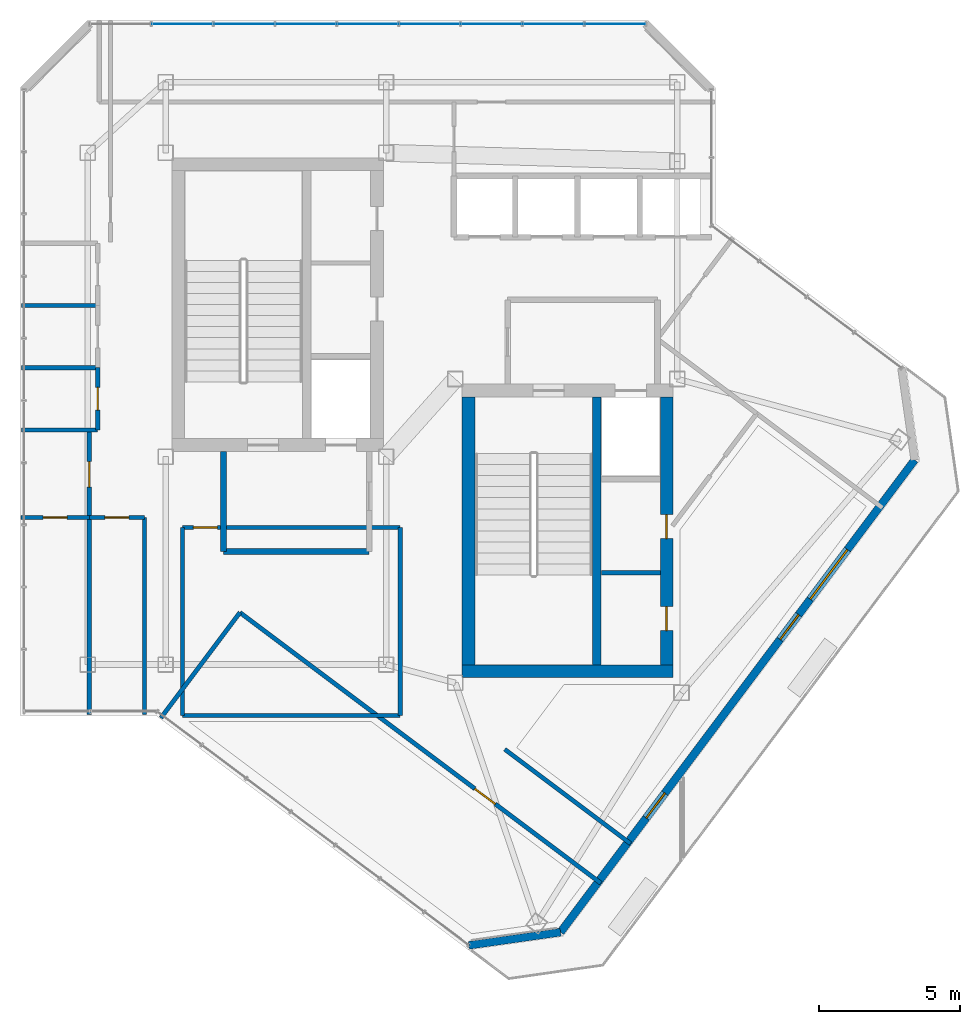
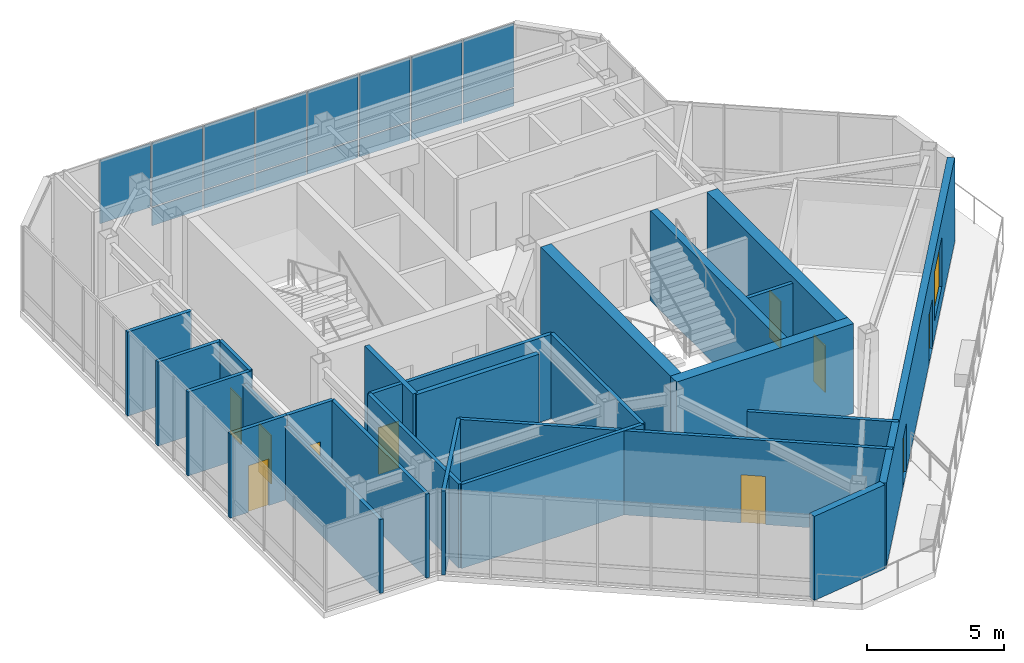
# One storey, part 18 of 23: 25 walls, 15 plates, 10 doors, 1 window, 11 openings, 1 element without a shape of its own.
"""IFC4 building model written with IfcOpenShell, lengths in metres."""

from ifc_helpers import new_model, si_unit, direction, frame, frame_2d, origin, origin_2d, place, context, subcontext, project, spatial, rectangle, extrude, material, layer, layer_set, type_object, element, fill, aggregate, save


model = new_model("IFC4")

# Units and contexts
model_context = context("Model", 3, precision=1e-05, world=origin(), true_north=direction((0.0, 1.0)))
body_context = subcontext(model_context, "Body", "Model", "MODEL_VIEW")
ifc_project = project(units=[si_unit("LENGTHUNIT", "METRE"), si_unit("AREAUNIT", "SQUARE_METRE"), si_unit("VOLUMEUNIT", "CUBIC_METRE"), si_unit("PLANEANGLEUNIT", "RADIAN"), si_unit("MASSUNIT", "GRAM", prefix="KILO")], contexts=[model_context])

# Site, building, storey
site_placement = place(None, origin())
site = spatial("IfcSite", under=ifc_project, at=site_placement, CompositionType="ELEMENT")
building_placement = place(site_placement, origin())
building = spatial("IfcBuilding", under=site, at=building_placement, Name="Hatsunagi Terrace Concourse", CompositionType="ELEMENT")
storey_placement = place(building_placement, frame((0.0, 0.0, 281.949951171875)))
storey = spatial("IfcBuildingStorey", under=building, at=storey_placement, Name="L74", CompositionType="ELEMENT", Elevation=281.949951171875)

# Curtain wall, plates
ifc_material_1 = material(Name="Anodised Aluminium Alloy 6063-T5", Category="aluminium")
ifc_layer_1 = layer(ifc_material_1, 0.199951171875)
ifc_layer_set_1 = layer_set([ifc_layer_1], Name="CrownWintergarden_CW06")
curtain_wall_type = type_object("IfcCurtainWallType", Name="CrownWintergarden_CW06", PredefinedType="NOTDEFINED", material=ifc_layer_set_1)
curtain_wall_placement = place(storey_placement, origin())
curtain_wall = element("IfcCurtainWall", 1, at=curtain_wall_placement, inside=storey, type_object=curtain_wall_type, Name="Unitised Curtain Wall CW-06 CW-L74-09", PredefinedType="NOTDEFINED")
ifc_material_2 = material(Name="Warm Terracotta Ceramic Spandrel Panel", Category="masonry")
ifc_layer_2 = layer(ifc_material_2, 0.031982421875)
ifc_layer_set_2 = layer_set([ifc_layer_2], Name="CurtainWallSpandrelPanel_32")
plate_type_1 = type_object("IfcPlateType", Name="CurtainWallSpandrelPanel_32", PredefinedType="SHEET", material=ifc_layer_set_2)
plate_1_placement = place(storey_placement, frame((28.325927734375, 47.860107421875, 0.030029296875), z_axis=(0.0, 0.0, 1.0), x_axis=(1.0, 0.0, 0.0)))
plate_1 = element("IfcPlate", 2, at=plate_1_placement, type_object=plate_type_1, Name="Terracotta Spandrel Panel SPN-01", PredefinedType="SHEET", context=body_context, shape_type="SweptSolid", body=[
    extrude(rectangle(XDim=2.132080078125, YDim=0.031982421875, at=origin_2d()), origin(), (0.0, 0.0, 1.0), 0.7900390625),
])
plate_2_placement = place(storey_placement, frame((30.512939453125, 47.860107421875, 0.030029296875), z_axis=(0.0, 0.0, 1.0), x_axis=(1.0, 0.0, 0.0)))
plate_2 = element("IfcPlate", 3, at=plate_2_placement, type_object=plate_type_1, Name="Terracotta Spandrel Panel SPN-01", PredefinedType="SHEET", context=body_context, shape_type="SweptSolid", body=[
    extrude(rectangle(XDim=2.132080078125, YDim=0.031982421875, at=origin_2d()), origin(), (0.0, 0.0, 1.0), 0.7900390625),
])
plate_3_placement = place(storey_placement, frame((32.699951171875, 47.860107421875, 0.030029296875), z_axis=(0.0, 0.0, 1.0), x_axis=(1.0, 0.0, 0.0)))
plate_3 = element("IfcPlate", 4, at=plate_3_placement, type_object=plate_type_1, Name="Terracotta Spandrel Panel SPN-01", PredefinedType="SHEET", context=body_context, shape_type="SweptSolid", body=[
    extrude(rectangle(XDim=2.132080078125, YDim=0.031982421875, at=origin_2d()), origin(), (0.0, 0.0, 1.0), 0.7900390625),
])
plate_4_placement = place(storey_placement, frame((34.886962890625, 47.860107421875, 0.030029296875), z_axis=(0.0, 0.0, 1.0), x_axis=(1.0, 0.0, 0.0)))
plate_4 = element("IfcPlate", 5, at=plate_4_placement, type_object=plate_type_1, Name="Terracotta Spandrel Panel SPN-01", PredefinedType="SHEET", context=body_context, shape_type="SweptSolid", body=[
    extrude(rectangle(XDim=2.132080078125, YDim=0.031982421875, at=origin_2d()), origin(), (0.0, 0.0, 1.0), 0.7900390625),
])
plate_5_placement = place(storey_placement, frame((37.073974609375, 47.860107421875, 0.030029296875), z_axis=(0.0, 0.0, 1.0), x_axis=(1.0, 0.0, 0.0)))
plate_5 = element("IfcPlate", 6, at=plate_5_placement, type_object=plate_type_1, Name="Terracotta Spandrel Panel SPN-01", PredefinedType="SHEET", context=body_context, shape_type="SweptSolid", body=[
    extrude(rectangle(XDim=2.132080078125, YDim=0.031982421875, at=origin_2d()), origin(), (0.0, 0.0, 1.0), 0.7900390625),
])
plate_6_placement = place(storey_placement, frame((39.260986328125, 47.860107421875, 0.030029296875), z_axis=(0.0, 0.0, 1.0), x_axis=(1.0, 0.0, 0.0)))
plate_6 = element("IfcPlate", 7, at=plate_6_placement, type_object=plate_type_1, Name="Terracotta Spandrel Panel SPN-01", PredefinedType="SHEET", context=body_context, shape_type="SweptSolid", body=[
    extrude(rectangle(XDim=2.132080078125, YDim=0.031982421875, at=origin_2d()), origin(), (0.0, 0.0, 1.0), 0.7900390625),
])
plate_7_placement = place(storey_placement, frame((41.447998046875, 47.860107421875, 0.030029296875), z_axis=(0.0, 0.0, 1.0), x_axis=(1.0, 0.0, 0.0)))
plate_7 = element("IfcPlate", 8, at=plate_7_placement, type_object=plate_type_1, Name="Terracotta Spandrel Panel SPN-01", PredefinedType="SHEET", context=body_context, shape_type="SweptSolid", body=[
    extrude(rectangle(XDim=2.132080078125, YDim=0.031982421875, at=origin_2d()), origin(), (0.0, 0.0, 1.0), 0.7900390625),
])
ifc_material_3 = material(Name="Low-E Double Insulating Glass 28mm", Category="glass")
ifc_layer_3 = layer(ifc_material_3, 0.028076171875)
ifc_layer_set_3 = layer_set([ifc_layer_3], Name="CurtainWallVisionGlass_28")
plate_type_2 = type_object("IfcPlateType", Name="CurtainWallVisionGlass_28", PredefinedType="CURTAIN_PANEL", material=ifc_layer_set_3)
plate_8_placement = place(storey_placement, frame((26.138916015625, 47.860107421875, 0.8798828125), z_axis=(0.0, 0.0, 1.0), x_axis=(1.0, 0.0, 0.0)))
plate_8 = element("IfcPlate", 9, at=plate_8_placement, type_object=plate_type_2, Name="Low-E Vision Glass Panel GLZ-01", PredefinedType="CURTAIN_PANEL", context=body_context, shape_type="SweptSolid", body=[
    extrude(rectangle(XDim=2.132080078125, YDim=0.028076171875, at=origin_2d()), origin(), (0.0, 0.0, 1.0), 2.840087890625),
])
plate_9_placement = place(storey_placement, frame((28.325927734375, 47.860107421875, 0.8798828125), z_axis=(0.0, 0.0, 1.0), x_axis=(1.0, 0.0, 0.0)))
plate_9 = element("IfcPlate", 10, at=plate_9_placement, type_object=plate_type_2, Name="Low-E Vision Glass Panel GLZ-01", PredefinedType="CURTAIN_PANEL", context=body_context, shape_type="SweptSolid", body=[
    extrude(rectangle(XDim=2.132080078125, YDim=0.028076171875, at=origin_2d()), origin(), (0.0, 0.0, 1.0), 2.840087890625),
])
plate_10_placement = place(storey_placement, frame((30.512939453125, 47.860107421875, 0.8798828125), z_axis=(0.0, 0.0, 1.0), x_axis=(1.0, 0.0, 0.0)))
plate_10 = element("IfcPlate", 11, at=plate_10_placement, type_object=plate_type_2, Name="Low-E Vision Glass Panel GLZ-01", PredefinedType="CURTAIN_PANEL", context=body_context, shape_type="SweptSolid", body=[
    extrude(rectangle(XDim=2.132080078125, YDim=0.028076171875, at=origin_2d()), origin(), (0.0, 0.0, 1.0), 2.840087890625),
])
plate_11_placement = place(storey_placement, frame((32.699951171875, 47.860107421875, 0.8798828125), z_axis=(0.0, 0.0, 1.0), x_axis=(1.0, 0.0, 0.0)))
plate_11 = element("IfcPlate", 12, at=plate_11_placement, type_object=plate_type_2, Name="Low-E Vision Glass Panel GLZ-01", PredefinedType="CURTAIN_PANEL", context=body_context, shape_type="SweptSolid", body=[
    extrude(rectangle(XDim=2.132080078125, YDim=0.028076171875, at=origin_2d()), origin(), (0.0, 0.0, 1.0), 2.840087890625),
])
plate_12_placement = place(storey_placement, frame((34.886962890625, 47.860107421875, 0.8798828125), z_axis=(0.0, 0.0, 1.0), x_axis=(1.0, 0.0, 0.0)))
plate_12 = element("IfcPlate", 13, at=plate_12_placement, type_object=plate_type_2, Name="Low-E Vision Glass Panel GLZ-01", PredefinedType="CURTAIN_PANEL", context=body_context, shape_type="SweptSolid", body=[
    extrude(rectangle(XDim=2.132080078125, YDim=0.028076171875, at=origin_2d()), origin(), (0.0, 0.0, 1.0), 2.840087890625),
])
plate_13_placement = place(storey_placement, frame((37.073974609375, 47.860107421875, 0.8798828125), z_axis=(0.0, 0.0, 1.0), x_axis=(1.0, 0.0, 0.0)))
plate_13 = element("IfcPlate", 14, at=plate_13_placement, type_object=plate_type_2, Name="Low-E Vision Glass Panel GLZ-01", PredefinedType="CURTAIN_PANEL", context=body_context, shape_type="SweptSolid", body=[
    extrude(rectangle(XDim=2.132080078125, YDim=0.028076171875, at=origin_2d()), origin(), (0.0, 0.0, 1.0), 2.840087890625),
])
plate_14_placement = place(storey_placement, frame((39.260986328125, 47.860107421875, 0.8798828125), z_axis=(0.0, 0.0, 1.0), x_axis=(1.0, 0.0, 0.0)))
plate_14 = element("IfcPlate", 15, at=plate_14_placement, type_object=plate_type_2, Name="Low-E Vision Glass Panel GLZ-01", PredefinedType="CURTAIN_PANEL", context=body_context, shape_type="SweptSolid", body=[
    extrude(rectangle(XDim=2.132080078125, YDim=0.028076171875, at=origin_2d()), origin(), (0.0, 0.0, 1.0), 2.840087890625),
])
plate_15_placement = place(storey_placement, frame((41.447998046875, 47.860107421875, 0.8798828125), z_axis=(0.0, 0.0, 1.0), x_axis=(1.0, 0.0, 0.0)))
plate_15 = element("IfcPlate", 16, at=plate_15_placement, type_object=plate_type_2, Name="Low-E Vision Glass Panel GLZ-01", PredefinedType="CURTAIN_PANEL", context=body_context, shape_type="SweptSolid", body=[
    extrude(rectangle(XDim=2.132080078125, YDim=0.028076171875, at=origin_2d()), origin(), (0.0, 0.0, 1.0), 2.840087890625),
])
aggregate(curtain_wall, [plate_8, plate_1, plate_9, plate_2, plate_10, plate_3, plate_11, plate_4, plate_12, plate_5, plate_13, plate_6, plate_14, plate_7, plate_15])

# Walls
ifc_material_4 = material(Name="Concrete Fc42", Category="concrete")
ifc_layer_4 = layer(ifc_material_4, 0.449951171875)
ifc_layer_set_4 = layer_set([ifc_layer_4], Name="CoreShearWall_Fc42_450")
wall_type_1 = type_object("IfcWallType", Name="CoreShearWall_Fc42_450", PredefinedType="SHEAR", material=ifc_layer_set_4)
wall_1_placement = place(storey_placement, frame((36.0400390625, 24.965087890625, 0.0), z_axis=(0.0, 0.0, 1.0), x_axis=(1.0, 0.0, 0.0)))
element("IfcWall", 17, at=wall_1_placement, inside=storey, type_object=wall_type_1, Name="Core B Shear Wall S L74", PredefinedType="SHEAR", context=body_context, shape_type="SweptSolid", body=[
    extrude(rectangle(XDim=7.4599609375, YDim=0.449951171875, at=frame_2d((3.72998046875, 0.0))), origin(), (0.0, 0.0, 1.0), 4.0),
])
wall_2_placement = place(storey_placement, frame((36.264892578125, 25.18994140625, 0.0), z_axis=(0.0, 0.0, 1.0), x_axis=(0.0, 1.0, 0.0)))
element("IfcWall", 18, at=wall_2_placement, inside=storey, type_object=wall_type_1, Name="Core B Shear Wall W L74", PredefinedType="SHEAR", context=body_context, shape_type="SweptSolid", body=[
    extrude(rectangle(XDim=9.47998046875, YDim=0.449951171875, at=frame_2d((4.739990234375, 0.0))), origin(), (0.0, 0.0, 1.0), 4.0),
])

# Wall, openings, doors
wall_3_placement = place(storey_placement, frame((43.27490234375, 25.18994140625, 0.0), z_axis=(0.0, 0.0, 1.0), x_axis=(0.0, 1.0, 0.0)))
wall_3 = element("IfcWall", 19, at=wall_3_placement, inside=storey, type_object=wall_type_1, Name="Core B Shear Wall E L74", PredefinedType="SHEAR", context=body_context, shape_type="SweptSolid", body=[
    extrude(rectangle(XDim=9.47998046875, YDim=0.449951171875, at=frame_2d((4.739990234375, 0.0))), origin(), (0.0, 0.0, 1.0), 4.0),
])
opening_1_placement = place(wall_3_placement, frame((1.2099609375, 0.0, 0.0)))
opening_1 = element("IfcOpeningElement", 20, at=opening_1_placement, cuts=wall_3, Name="Opening DR-085", PredefinedType="OPENING", context=body_context, shape_type="SweptSolid", body=[
    extrude(rectangle(XDim=0.85009765625, YDim=2.080078125, at=frame_2d((0.425048828125, 1.0400390625))), frame((0.0, 0.23486328125, 0.0), z_axis=(0.0, -1.0, 0.0), x_axis=(1.0, 0.0, 0.0)), (0.0, 0.0, 1.0), 0.469970703125),
])
opening_2_placement = place(wall_3_placement, frame((4.4599609375, 0.0, 0.0)))
opening_2 = element("IfcOpeningElement", 21, at=opening_2_placement, cuts=wall_3, Name="Opening DR-085", PredefinedType="OPENING", context=body_context, shape_type="SweptSolid", body=[
    extrude(rectangle(XDim=0.85009765625, YDim=2.080078125, at=frame_2d((0.425048828125, 1.0400390625))), frame((0.0, 0.23486328125, 0.0), z_axis=(0.0, -1.0, 0.0), x_axis=(1.0, 0.0, 0.0)), (0.0, 0.0, 1.0), 0.469970703125),
])
ifc_material_5 = material(Name="Painted steel", Category="steel")
door_type_1 = type_object("IfcDoorType", Name="RiserAccessDoor_EI60_850", OperationType="NOTDEFINED", PredefinedType="DOOR", material=ifc_material_5)
door_1_placement = place(opening_1_placement, origin())
door_1 = element("IfcDoor", 22, at=door_1_placement, inside=storey, type_object=door_type_1, Name="Core B Riser Door L74-1", OperationType="SINGLE_SWING_RIGHT", OverallHeight=2.080078125, OverallWidth=0.85009765625, PredefinedType="DOOR", context=body_context, shape_type="SweptSolid", body=[
    extrude(rectangle(XDim=0.85009765625, YDim=2.080078125, at=frame_2d((0.425048828125, 1.0400390625))), frame((0.0, 0.02490234375, 0.0), z_axis=(0.0, -1.0, 0.0), x_axis=(1.0, 0.0, 0.0)), (0.0, 0.0, 1.0), 0.050048828125),
])
fill(opening_1, door_1)
door_2_placement = place(opening_2_placement, origin())
door_2 = element("IfcDoor", 23, at=door_2_placement, inside=storey, type_object=door_type_1, Name="Core B Riser Door L74-2", OperationType="SINGLE_SWING_RIGHT", OverallHeight=2.080078125, OverallWidth=0.85009765625, PredefinedType="DOOR", context=body_context, shape_type="SweptSolid", body=[
    extrude(rectangle(XDim=0.85009765625, YDim=2.080078125, at=frame_2d((0.425048828125, 1.0400390625))), frame((0.0, 0.02490234375, 0.0), z_axis=(0.0, -1.0, 0.0), x_axis=(1.0, 0.0, 0.0)), (0.0, 0.0, 1.0), 0.050048828125),
])
fill(opening_2, door_2)

# Walls
ifc_material_6 = material(Name="Concrete Fc48", Category="concrete")
ifc_layer_5 = layer(ifc_material_6, 0.300048828125)
ifc_layer_set_5 = layer_set([ifc_layer_5], Name="CoreStairDivider_Fc48_300")
wall_type_2 = type_object("IfcWallType", Name="CoreStairDivider_Fc48_300", PredefinedType="SHEAR", material=ifc_layer_set_5)
wall_4_placement = place(storey_placement, frame((40.81005859375, 25.18994140625, 0.0), z_axis=(0.0, 0.0, 1.0), x_axis=(0.0, 1.0, 0.0)))
element("IfcWall", 24, at=wall_4_placement, inside=storey, type_object=wall_type_2, Name="Core B Shear Wall D L74", PredefinedType="SHEAR", context=body_context, shape_type="SweptSolid", body=[
    extrude(rectangle(XDim=9.47998046875, YDim=0.300048828125, at=frame_2d((4.739990234375, 0.0))), origin(), (0.0, 0.0, 1.0), 4.0),
])
ifc_material_7 = material(Name="Acoustic mineral board", Category="gypsum")
ifc_layer_6 = layer(ifc_material_7, 0.14990234375)
ifc_layer_set_6 = layer_set([ifc_layer_6], Name="PartitionWall_EI60_150")
wall_type_3 = type_object("IfcWallType", Name="PartitionWall_EI60_150", PredefinedType="PARTITIONING", material=ifc_layer_set_6)
wall_5_placement = place(storey_placement, frame((40.969970703125, 28.449951171875, 0.0), z_axis=(0.0, 0.0, 1.0), x_axis=(1.0, 0.0, 0.0)))
element("IfcWall", 25, at=wall_5_placement, inside=storey, type_object=wall_type_3, Name="Interior Partition IW-L74-004", PredefinedType="PARTITIONING", context=body_context, shape_type="SweptSolid", body=[
    extrude(rectangle(XDim=2.080078125, YDim=0.14990234375, at=frame_2d((1.0400390625, 0.0))), origin(), (0.0, 0.0, 1.0), 3.75),
])
for number, where, z_axis, x_axis, name in (
    (26, (20.449951171875, 33.5, 0.0), (0.0, 0.0, 1.0), (1.0, 0.0, 0.0), "Interior Partition IW-L74-017"),
    (27, (20.449951171875, 35.699951171875, 0.0), (0.0, 0.0, 1.0), (1.0, 0.0, 0.0), "Interior Partition IW-L74-019"),
    (28, (20.449951171875, 37.89990234375, 0.0), (0.0, 0.0, 1.0), (1.0, 0.0, 0.0), "Interior Partition IW-L74-020"),
):
    element("IfcWall", number, at=place(storey_placement, frame(where, z_axis=z_axis, x_axis=x_axis)), inside=storey, type_object=wall_type_3, Name=name, PredefinedType="PARTITIONING", context=body_context, shape_type="SweptSolid", body=[
        extrude(rectangle(XDim=2.699951171875, YDim=0.14990234375, at=frame_2d((1.35009765625, 0.0))), origin(), (0.0, 0.0, 1.0), 3.75),
    ])

# Wall, opening, door
wall_6_placement = place(storey_placement, frame((23.14990234375, 33.5, 0.0), z_axis=(0.0, 0.0, 1.0), x_axis=(0.0, 1.0, 0.0)))
wall_6 = element("IfcWall", 29, at=wall_6_placement, inside=storey, type_object=wall_type_3, Name="Interior Partition IW-L74-021", PredefinedType="PARTITIONING", context=body_context, shape_type="SweptSolid", body=[
    extrude(rectangle(XDim=2.199951171875, YDim=0.14990234375, at=frame_2d((1.10009765625, 0.0))), origin(), (0.0, 0.0, 1.0), 3.75),
])
opening_3_placement = place(wall_6_placement, frame((0.699951171875, 0.0, 0.0)))
opening_3 = element("IfcOpeningElement", 30, at=opening_3_placement, cuts=wall_6, Name="Opening DR-080", PredefinedType="OPENING", context=body_context, shape_type="SweptSolid", body=[
    extrude(rectangle(XDim=0.800048828125, YDim=2.06005859375, at=frame_2d((0.39990234375, 1.030029296875))), frame((0.0, 0.0849609375, 0.0), z_axis=(0.0, -1.0, 0.0), x_axis=(1.0, 0.0, 0.0)), (0.0, 0.0, 1.0), 0.169921875),
])
ifc_material_8 = material(Name="Hardwood timber", Category="wood")
door_type_2 = type_object("IfcDoorType", Name="BathroomDoor_800", OperationType="NOTDEFINED", PredefinedType="DOOR", material=ifc_material_8)
door_3_placement = place(opening_3_placement, origin())
door_3 = element("IfcDoor", 31, at=door_3_placement, inside=storey, type_object=door_type_2, Name="Accessible WC Door L74", OperationType="SINGLE_SWING_LEFT", OverallHeight=2.06005859375, OverallWidth=0.800048828125, PredefinedType="DOOR", context=body_context, shape_type="SweptSolid", body=[
    extrude(rectangle(XDim=0.800048828125, YDim=2.06005859375, at=frame_2d((0.39990234375, 1.030029296875))), frame((0.0, 0.02490234375, 0.0), z_axis=(0.0, -1.0, 0.0), x_axis=(1.0, 0.0, 0.0)), (0.0, 0.0, 1.0), 0.050048828125),
])
fill(opening_3, door_3)

# Wall
wall_7_placement = place(storey_placement, frame((26.14990234375, 23.39990234375, 0.0), z_axis=(0.0, 0.0, 1.0), x_axis=(1.0, 0.0, 0.0)))
element("IfcWall", 32, at=wall_7_placement, inside=storey, type_object=wall_type_3, Name="Interior Partition IW-L74-024", PredefinedType="PARTITIONING", context=body_context, shape_type="SweptSolid", body=[
    extrude(rectangle(XDim=7.7001953125, YDim=0.14990234375, at=frame_2d((3.85009765625, 0.0))), origin(), (0.0, 0.0, 1.0), 3.75),
])

# Wall, opening, door
wall_8_placement = place(storey_placement, frame((26.14990234375, 30.050048828125, 0.0), z_axis=(0.0, 0.0, 1.0), x_axis=(1.0, 0.0, 0.0)))
wall_8 = element("IfcWall", 33, at=wall_8_placement, inside=storey, type_object=wall_type_3, Name="Interior Partition IW-L74-025", PredefinedType="PARTITIONING", context=body_context, shape_type="SweptSolid", body=[
    extrude(rectangle(XDim=7.7001953125, YDim=0.14990234375, at=frame_2d((3.85009765625, 0.0))), origin(), (0.0, 0.0, 1.0), 3.75),
])
opening_4_placement = place(wall_8_placement, frame((0.3798828125, 0.0, 0.0)))
opening_4 = element("IfcOpeningElement", 34, at=opening_4_placement, cuts=wall_8, Name="Opening DR-085", PredefinedType="OPENING", context=body_context, shape_type="SweptSolid", body=[
    extrude(rectangle(XDim=0.85009765625, YDim=2.080078125, at=frame_2d((0.425048828125, 1.0400390625))), frame((0.0, 0.0849609375, 0.0), z_axis=(0.0, -1.0, 0.0), x_axis=(1.0, 0.0, 0.0)), (0.0, 0.0, 1.0), 0.169921875),
])
door_4_placement = place(opening_4_placement, origin())
door_4 = element("IfcDoor", 35, at=door_4_placement, inside=storey, type_object=door_type_1, Name="Boardroom L74-RECL1 Door", OperationType="SINGLE_SWING_RIGHT", OverallHeight=2.080078125, OverallWidth=0.85009765625, PredefinedType="DOOR", context=body_context, shape_type="SweptSolid", body=[
    extrude(rectangle(XDim=0.85009765625, YDim=2.080078125, at=frame_2d((0.425048828125, 1.0400390625))), frame((0.0, 0.02490234375, 0.0), z_axis=(0.0, -1.0, 0.0), x_axis=(1.0, 0.0, 0.0)), (0.0, 0.0, 1.0), 0.050048828125),
])
fill(opening_4, door_4)

# Walls
for number, where, z_axis, x_axis, name in (
    (36, (26.14990234375, 23.39990234375, 0.0), (0.0, 0.0, 1.0), (0.0, 1.0, 0.0), "Interior Partition IW-L74-026"),
    (37, (33.85009765625, 23.39990234375, 0.0), (0.0, 0.0, 1.0), (0.0, 1.0, 0.0), "Interior Partition IW-L74-027"),
):
    element("IfcWall", number, at=place(storey_placement, frame(where, z_axis=z_axis, x_axis=x_axis)), inside=storey, type_object=wall_type_3, Name=name, PredefinedType="PARTITIONING", context=body_context, shape_type="SweptSolid", body=[
        extrude(rectangle(XDim=6.650146484375, YDim=0.14990234375, at=frame_2d((3.3251953125, 0.0))), origin(), (0.0, 0.0, 1.0), 3.75),
    ])

# Wall, opening, door
wall_9_placement = place(storey_placement, frame((20.43994140625, 30.39990234375, 0.0), z_axis=(0.0, 0.0, 1.0), x_axis=(1.0, 0.0, 0.0)))
wall_9 = element("IfcWall", 38, at=wall_9_placement, inside=storey, type_object=wall_type_3, Name="Interior Partition IW-L74-031", PredefinedType="PARTITIONING", context=body_context, shape_type="SweptSolid", body=[
    extrude(rectangle(XDim=2.41015625, YDim=0.14990234375, at=frame_2d((1.205078125, 0.0))), origin(), (0.0, 0.0, 1.0), 3.75),
])
opening_5_placement = place(wall_9_placement, frame((0.780029296875, 0.0, 0.0)))
opening_5 = element("IfcOpeningElement", 39, at=opening_5_placement, cuts=wall_9, Name="Opening DR-085", PredefinedType="OPENING", context=body_context, shape_type="SweptSolid", body=[
    extrude(rectangle(XDim=0.85009765625, YDim=2.080078125, at=frame_2d((0.425048828125, 1.0400390625))), frame((0.0, 0.0849609375, 0.0), z_axis=(0.0, -1.0, 0.0), x_axis=(1.0, 0.0, 0.0)), (0.0, 0.0, 1.0), 0.169921875),
])
door_5_placement = place(opening_5_placement, origin())
door_5 = element("IfcDoor", 40, at=door_5_placement, inside=storey, type_object=door_type_1, Name="Private Salon L74-CRSK1 Door", OperationType="SINGLE_SWING_RIGHT", OverallHeight=2.080078125, OverallWidth=0.85009765625, PredefinedType="DOOR", context=body_context, shape_type="SweptSolid", body=[
    extrude(rectangle(XDim=0.85009765625, YDim=2.080078125, at=frame_2d((0.425048828125, 1.0400390625))), frame((0.0, 0.02490234375, 0.0), z_axis=(0.0, -1.0, 0.0), x_axis=(1.0, 0.0, 0.0)), (0.0, 0.0, 1.0), 0.050048828125),
])
fill(opening_5, door_5)

# Wall
wall_10_placement = place(storey_placement, frame((22.85009765625, 23.43994140625, 0.0), z_axis=(0.0, 0.0, 1.0), x_axis=(0.0, 1.0, 0.0)))
element("IfcWall", 41, at=wall_10_placement, inside=storey, type_object=wall_type_3, Name="Interior Partition IW-L74-032", PredefinedType="PARTITIONING", context=body_context, shape_type="SweptSolid", body=[
    extrude(rectangle(XDim=6.9599609375, YDim=0.14990234375, at=frame_2d((3.47998046875, 0.0))), origin(), (0.0, 0.0, 1.0), 3.295166015625),
])

# Wall, opening, door
wall_11_placement = place(storey_placement, frame((22.85009765625, 30.39990234375, 0.0), z_axis=(0.0, 0.0, 1.0), x_axis=(1.0, 0.0, 0.0)))
wall_11 = element("IfcWall", 42, at=wall_11_placement, inside=storey, type_object=wall_type_3, Name="Interior Partition IW-L74-033", PredefinedType="PARTITIONING", context=body_context, shape_type="SweptSolid", body=[
    extrude(rectangle(XDim=1.949951171875, YDim=0.14990234375, at=frame_2d((0.97509765625, 0.0))), origin(), (0.0, 0.0, 1.0), 3.75),
])
opening_6_placement = place(wall_11_placement, frame((0.550048828125, 0.0, 0.0)))
opening_6 = element("IfcOpeningElement", 43, at=opening_6_placement, cuts=wall_11, Name="Opening DR-085", PredefinedType="OPENING", context=body_context, shape_type="SweptSolid", body=[
    extrude(rectangle(XDim=0.85009765625, YDim=2.080078125, at=frame_2d((0.425048828125, 1.0400390625))), frame((0.0, 0.0849609375, 0.0), z_axis=(0.0, -1.0, 0.0), x_axis=(1.0, 0.0, 0.0)), (0.0, 0.0, 1.0), 0.169921875),
])
door_6_placement = place(opening_6_placement, origin())
door_6 = element("IfcDoor", 44, at=door_6_placement, inside=storey, type_object=door_type_1, Name="Client Consultation Room L74-CRSK2 Door", OperationType="SINGLE_SWING_RIGHT", OverallHeight=2.080078125, OverallWidth=0.85009765625, PredefinedType="DOOR", context=body_context, shape_type="SweptSolid", body=[
    extrude(rectangle(XDim=0.85009765625, YDim=2.080078125, at=frame_2d((0.425048828125, 1.0400390625))), frame((0.0, 0.02490234375, 0.0), z_axis=(0.0, -1.0, 0.0), x_axis=(1.0, 0.0, 0.0)), (0.0, 0.0, 1.0), 0.050048828125),
])
fill(opening_6, door_6)

# Wall
wall_12_placement = place(storey_placement, frame((24.800048828125, 23.43994140625, 0.0), z_axis=(0.0, 0.0, 1.0), x_axis=(0.0, 1.0, 0.0)))
element("IfcWall", 45, at=wall_12_placement, inside=storey, type_object=wall_type_3, Name="Interior Partition IW-L74-034", PredefinedType="PARTITIONING", context=body_context, shape_type="SweptSolid", body=[
    extrude(rectangle(XDim=6.9599609375, YDim=0.14990234375, at=frame_2d((3.47998046875, 0.0))), origin(), (0.0, 0.0, 1.0), 3.75),
])

# Wall, opening, door
wall_13_placement = place(storey_placement, frame((22.85009765625, 30.39990234375, 0.0), z_axis=(0.0, 0.0, 1.0), x_axis=(0.0, 1.0, 0.0)))
wall_13 = element("IfcWall", 46, at=wall_13_placement, inside=storey, type_object=wall_type_3, Name="Interior Partition IW-L74-035", PredefinedType="PARTITIONING", context=body_context, shape_type="SweptSolid", body=[
    extrude(rectangle(XDim=3.050048828125, YDim=0.14990234375, at=frame_2d((1.52490234375, 0.0))), origin(), (0.0, 0.0, 1.0), 3.295166015625),
])
opening_7_placement = place(wall_13_placement, frame((1.074951171875, 0.0, 0.0)))
opening_7 = element("IfcOpeningElement", 47, at=opening_7_placement, cuts=wall_13, Name="Opening DR-090", PredefinedType="OPENING", context=body_context, shape_type="SweptSolid", body=[
    extrude(rectangle(XDim=0.89990234375, YDim=2.14990234375, at=frame_2d((0.449951171875, 1.074951171875))), frame((0.0, 0.0849609375, 0.0), z_axis=(0.0, -1.0, 0.0), x_axis=(1.0, 0.0, 0.0)), (0.0, 0.0, 1.0), 0.169921875),
])
ifc_material_9 = material(Name="Hardwood timber", Category="wood")
door_type_3 = type_object("IfcDoorType", Name="CrownPavilionDoor_EI30_900", OperationType="NOTDEFINED", PredefinedType="DOOR", material=ifc_material_9)
door_7_placement = place(opening_7_placement, origin())
door_7 = element("IfcDoor", 48, at=door_7_placement, inside=storey, type_object=door_type_3, Name="Focus Room L74-CRSW Door", OperationType="SINGLE_SWING_LEFT", OverallHeight=2.14990234375, OverallWidth=0.89990234375, PredefinedType="DOOR", context=body_context, shape_type="SweptSolid", body=[
    extrude(rectangle(XDim=0.89990234375, YDim=2.14990234375, at=frame_2d((0.449951171875, 1.074951171875))), frame((0.0, 0.02490234375, 0.0), z_axis=(0.0, -1.0, 0.0), x_axis=(1.0, 0.0, 0.0)), (0.0, 0.0, 1.0), 0.050048828125),
])
fill(opening_7, door_7)

wall_14_placement = place(storey_placement, frame((28.179931640625, 27.0400390625, 0.0), z_axis=(0.0, 0.0, 1.0), x_axis=(0.80000367127, -0.599995104942, 0.0)))
wall_14 = element("IfcWall", 49, at=wall_14_placement, inside=storey, type_object=wall_type_3, Name="Interior Partition IW-L74-037", PredefinedType="PARTITIONING", context=body_context, shape_type="SweptSolid", body=[
    extrude(rectangle(XDim=15.9599609375, YDim=0.14990234375, at=frame_2d((7.97998046875, 0.0))), origin(), (0.0, 0.0, 1.0), 3.75),
])
opening_8_placement = place(wall_14_placement, frame((10.389892578125, 0.0, 0.0)))
opening_8 = element("IfcOpeningElement", 50, at=opening_8_placement, cuts=wall_14, Name="Opening DR-090", PredefinedType="OPENING", context=body_context, shape_type="SweptSolid", body=[
    extrude(rectangle(XDim=0.89990234375, YDim=2.14990234375, at=frame_2d((0.449951171875, 1.074951171875))), frame((0.0, 0.0849609375, 0.0), z_axis=(0.0, -1.0, 0.0), x_axis=(1.0, 0.0, 0.0)), (0.0, 0.0, 1.0), 0.169921875),
])
door_8_placement = place(opening_8_placement, origin())
door_8 = element("IfcDoor", 51, at=door_8_placement, inside=storey, type_object=door_type_3, Name="Private Dining Suite L74-CRSWS Door", OperationType="SINGLE_SWING_RIGHT", OverallHeight=2.14990234375, OverallWidth=0.89990234375, PredefinedType="DOOR", context=body_context, shape_type="SweptSolid", body=[
    extrude(rectangle(XDim=0.89990234375, YDim=2.14990234375, at=frame_2d((0.449951171875, 1.074951171875))), frame((0.0, 0.02490234375, 0.0), z_axis=(0.0, -1.0, 0.0), x_axis=(1.0, 0.0, 0.0)), (0.0, 0.0, 1.0), 0.050048828125),
])
fill(opening_8, door_8)

# Walls
wall_15_placement = place(storey_placement, frame((25.384033203125, 23.31201171875, 0.0), z_axis=(0.0, 0.0, 1.0), x_axis=(0.599983234706, 0.800012573696, 0.0)))
element("IfcWall", 52, at=wall_15_placement, inside=storey, type_object=wall_type_3, Name="Interior Partition IW-L74-038", PredefinedType="PARTITIONING", context=body_context, shape_type="SweptSolid", body=[
    extrude(rectangle(XDim=4.659912109375, YDim=0.14990234375, at=frame_2d((2.330078125, 0.0))), origin(), (0.0, 0.0, 1.0), 3.75),
])
wall_16_placement = place(storey_placement, frame((37.550048828125, 22.199951171875, 0.0), z_axis=(0.0, 0.0, 1.0), x_axis=(0.800005269228, -0.599992974298, 0.0)))
element("IfcWall", 53, at=wall_16_placement, inside=storey, type_object=wall_type_3, Name="Interior Partition IW-L74-039", PredefinedType="PARTITIONING", context=body_context, shape_type="SweptSolid", body=[
    extrude(rectangle(XDim=5.56005859375, YDim=0.14990234375, at=frame_2d((2.780029296875, 0.0))), origin(), (0.0, 0.0, 1.0), 3.75),
])
ifc_material_10 = material(Name="Acoustic mineral board", Category="gypsum")
ifc_layer_7 = layer(ifc_material_10, 0.199951171875)
ifc_layer_set_7 = layer_set([ifc_layer_7], Name="ShaftWall_EI120_200")
wall_type_4 = type_object("IfcWallType", Name="ShaftWall_EI120_200", PredefinedType="STANDARD", material=ifc_layer_set_7)
wall_17_placement = place(storey_placement, frame((27.60009765625, 29.199951171875, 0.0), z_axis=(0.0, 0.0, 1.0), x_axis=(1.0, 0.0, 0.0)))
element("IfcWall", 54, at=wall_17_placement, inside=storey, type_object=wall_type_4, Name="Interior Partition IW-L74-005", PredefinedType="STANDARD", context=body_context, shape_type="SweptSolid", body=[
    extrude(rectangle(XDim=5.14990234375, YDim=0.199951171875, at=frame_2d((2.574951171875, 0.0))), origin(), (0.0, 0.0, 1.0), 3.75),
])
wall_18_placement = place(storey_placement, frame((27.60009765625, 29.199951171875, 0.0), z_axis=(0.0, 0.0, 1.0), x_axis=(0.0, 1.0, 0.0)))
element("IfcWall", 55, at=wall_18_placement, inside=storey, type_object=wall_type_4, Name="Interior Partition IW-L74-006", PredefinedType="STANDARD", context=body_context, shape_type="SweptSolid", body=[
    extrude(rectangle(XDim=3.5400390625, YDim=0.199951171875, at=frame_2d((1.77001953125, 0.0))), origin(), (0.0, 0.0, 1.0), 3.75),
])

# Wall, openings, doors, window
ifc_material_11 = material(Name="Autoclaved Lightweight Concrete and Terracotta Cladding", Category="masonry")
ifc_layer_8 = layer(ifc_material_11, 0.280029296875)
ifc_layer_set_8 = layer_set([ifc_layer_8], Name="TerracottaSpandrelWall_280")
wall_type_5 = type_object("IfcWallType", Name="TerracottaSpandrelWall_280", PredefinedType="STANDARD", material=ifc_layer_set_8)
wall_19_placement = place(storey_placement, frame((52.052978515625, 32.43798828125, 0.0), z_axis=(0.0, 0.0, 1.0), x_axis=(-0.599970072971, -0.800022444397, 0.0)))
wall_19 = element("IfcWall", 56, at=wall_19_placement, inside=storey, type_object=wall_type_5, Name="Exterior Spandrel Wall EW-L74-03", PredefinedType="STANDARD", context=body_context, shape_type="SweptSolid", body=[
    extrude(rectangle(XDim=20.884521484375, YDim=0.280029296875, at=frame_2d((10.4423828125, 0.0))), origin(), (0.0, 0.0, 1.0), 3.75),
])
opening_9_placement = place(wall_19_placement, frame((14.73388671875, 0.0, 0.0)))
opening_9 = element("IfcOpeningElement", 57, at=opening_9_placement, cuts=wall_19, Name="Opening BD-01", PredefinedType="OPENING", context=body_context, shape_type="SweptSolid", body=[
    extrude(rectangle(XDim=1.10009765625, YDim=2.199951171875, at=frame_2d((0.550048828125, 1.10009765625))), frame((0.0, 0.14990234375, 0.0), z_axis=(0.0, -1.0, 0.0), x_axis=(1.0, 0.0, 0.0)), (0.0, 0.0, 1.0), 0.300048828125),
])
opening_10_placement = place(wall_19_placement, frame((6.842041015625, 0.0, 0.0)))
opening_10 = element("IfcOpeningElement", 58, at=opening_10_placement, cuts=wall_19, Name="Opening BD-01", PredefinedType="OPENING", context=body_context, shape_type="SweptSolid", body=[
    extrude(rectangle(XDim=1.10009765625, YDim=2.199951171875, at=frame_2d((0.550048828125, 1.10009765625))), frame((0.0, 0.14990234375, 0.0), z_axis=(0.0, -1.0, 0.0), x_axis=(1.0, 0.0, 0.0)), (0.0, 0.0, 1.0), 0.300048828125),
])
opening_11_placement = place(wall_19_placement, frame((3.9619140625, 0.0, 0.75)))
opening_11 = element("IfcOpeningElement", 59, at=opening_11_placement, cuts=wall_19, Name="Opening WIN-05", PredefinedType="OPENING", context=body_context, shape_type="SweptSolid", body=[
    extrude(rectangle(XDim=2.199951171875, YDim=2.199951171875, at=frame_2d((1.10009765625, 1.10009765625))), frame((0.0, 0.14990234375, 0.0), z_axis=(0.0, -1.0, 0.0), x_axis=(1.0, 0.0, 0.0)), (0.0, 0.0, 1.0), 0.300048828125),
])
ifc_material_12 = material(Name="Galvanised Steel and Laminated Safety Glass", Category="steel")
door_type_4 = type_object("IfcDoorType", Name="BalconyTerraceAccessDoor_1100x2200", OperationType="SINGLE_SWING_LEFT", PredefinedType="DOOR", material=ifc_material_12)
door_9_placement = place(opening_9_placement, origin())
door_9 = element("IfcDoor", 60, at=door_9_placement, inside=storey, type_object=door_type_4, Name="Sky Garden Terrace Door TER-L74-1", OperationType="SINGLE_SWING_LEFT", OverallHeight=2.199951171875, OverallWidth=1.10009765625, PredefinedType="DOOR", context=body_context, shape_type="SweptSolid", body=[
    extrude(rectangle(XDim=1.10009765625, YDim=2.199951171875, at=frame_2d((0.550048828125, 1.10009765625))), frame((0.0, 0.02490234375, 0.0), z_axis=(0.0, -1.0, 0.0), x_axis=(1.0, 0.0, 0.0)), (0.0, 0.0, 1.0), 0.050048828125),
])
fill(opening_9, door_9)
door_10_placement = place(opening_10_placement, origin())
door_10 = element("IfcDoor", 61, at=door_10_placement, inside=storey, type_object=door_type_4, Name="Sky Garden Terrace Door TER-L74-2", OperationType="SINGLE_SWING_LEFT", OverallHeight=2.199951171875, OverallWidth=1.10009765625, PredefinedType="DOOR", context=body_context, shape_type="SweptSolid", body=[
    extrude(rectangle(XDim=1.10009765625, YDim=2.199951171875, at=frame_2d((0.550048828125, 1.10009765625))), frame((0.0, 0.02490234375, 0.0), z_axis=(0.0, -1.0, 0.0), x_axis=(1.0, 0.0, 0.0)), (0.0, 0.0, 1.0), 0.050048828125),
])
fill(opening_10, door_10)
ifc_material_13 = material(Name="Thermally Broken Aluminium and Low-E Triple Glazing", Category="aluminium")
window_type = type_object("IfcWindowType", Name="CrownSuitePanoramaWindow_2200x2200", PartitioningType="TRIPLE_PANEL_VERTICAL", PredefinedType="WINDOW", material=ifc_material_13)
window_placement = place(opening_11_placement, origin())
window = element("IfcWindow", 62, at=window_placement, inside=storey, type_object=window_type, Name="Terrace Panorama Window L74-03", OverallHeight=2.199951171875, OverallWidth=2.199951171875, PartitioningType="SINGLE_PANEL", PredefinedType="WINDOW", context=body_context, shape_type="SweptSolid", body=[
    extrude(rectangle(XDim=2.199951171875, YDim=2.199951171875, at=frame_2d((1.10009765625, 1.10009765625))), frame((0.0, 0.030029296875, 0.0), z_axis=(0.0, -1.0, 0.0), x_axis=(1.0, 0.0, 0.0)), (0.0, 0.0, 1.0), 0.06005859375),
])
fill(opening_11, window)

# Wall
wall_20_placement = place(storey_placement, frame((39.52294921875, 15.72998046875, 0.0), z_axis=(0.0, 0.0, 1.0), x_axis=(-0.989977778067, -0.141223223777, 0.0)))
element("IfcWall", 63, at=wall_20_placement, inside=storey, type_object=wall_type_5, Name="Exterior Spandrel Wall EW-L74-04", PredefinedType="STANDARD", context=body_context, shape_type="SweptSolid", body=[
    extrude(rectangle(XDim=3.27783203125, YDim=0.280029296875, at=frame_2d((1.638916015625, 0.0))), origin(), (0.0, 0.0, 1.0), 3.75),
])

save(model, "model.ifc")
